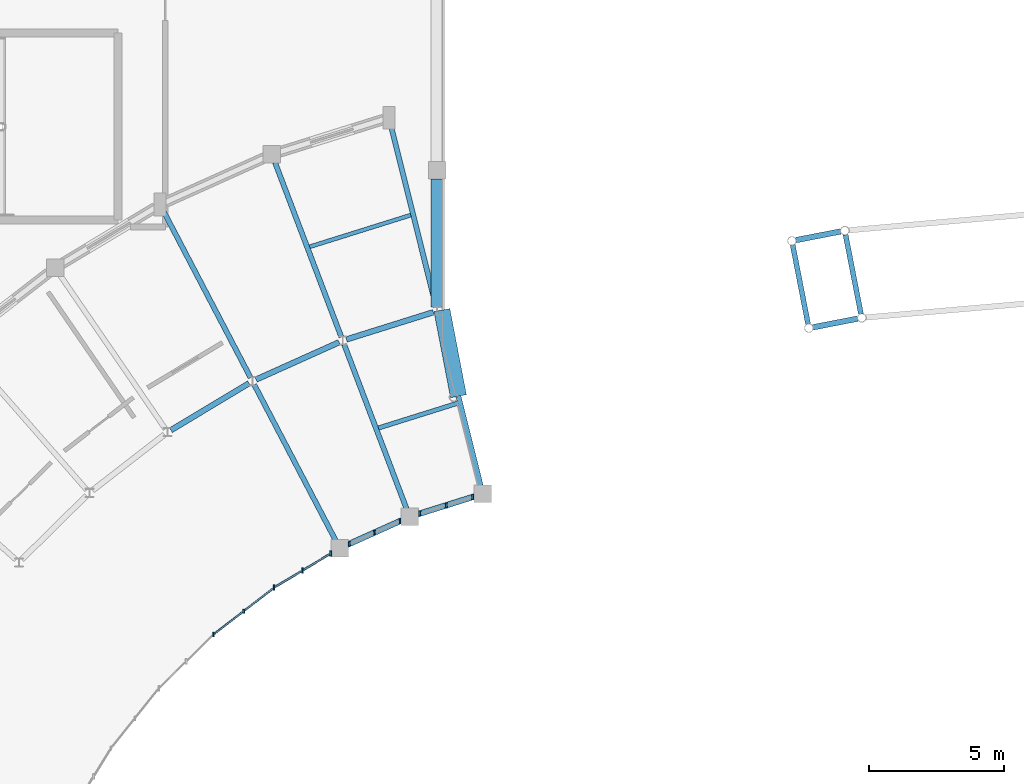
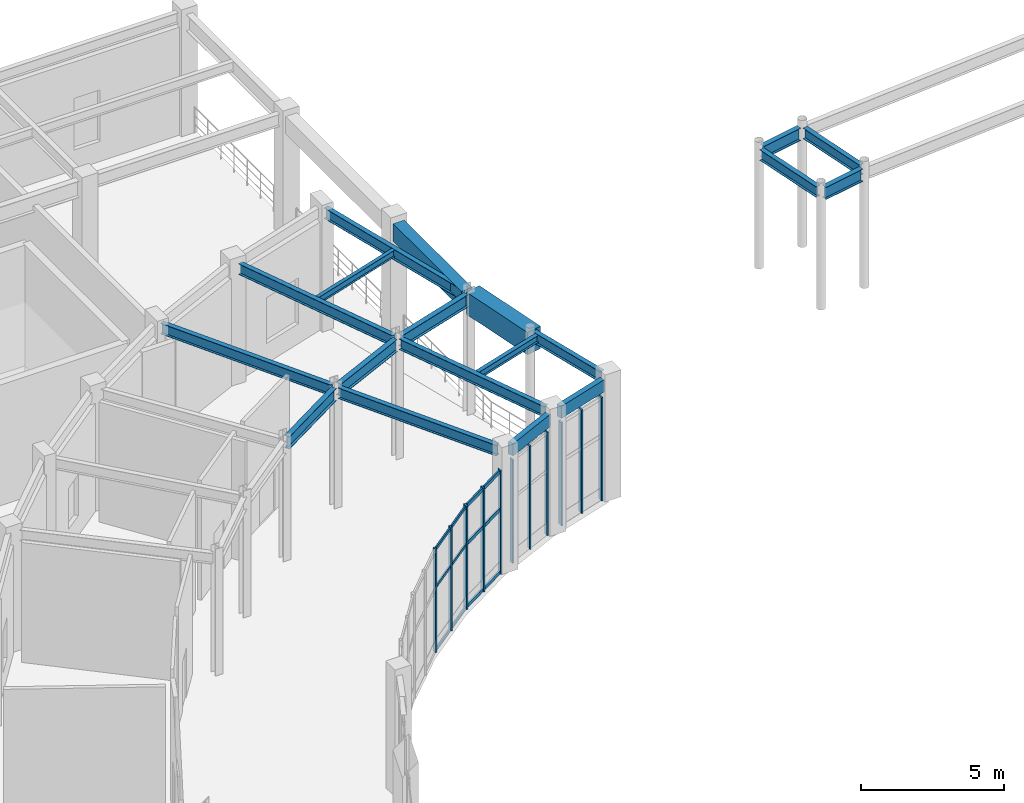
# One storey, part 30 of 93: 23 members, 19 beams, 4 elements without a shape of their own.
"""IFC4 building model written with IfcOpenShell, lengths in metres."""

from ifc_helpers import new_model, si_unit, direction, frame, origin, origin_2d, place, context, subcontext, project, spatial, rectangle, i_section, extrude, material, material_profile, profile_set, type_object, element, aggregate, save


model = new_model("IFC4")

# Units and contexts
model_context = context("Model", 3, precision=1e-05, world=origin(), true_north=direction((0.0, 1.0)))
body_context = subcontext(model_context, "Body", "Model", "MODEL_VIEW")
ifc_project = project(units=[si_unit("LENGTHUNIT", "METRE"), si_unit("AREAUNIT", "SQUARE_METRE"), si_unit("VOLUMEUNIT", "CUBIC_METRE"), si_unit("PLANEANGLEUNIT", "RADIAN"), si_unit("MASSUNIT", "GRAM", prefix="KILO")], contexts=[model_context])

# Site, building, storey
site_placement = place(None, origin())
site = spatial("IfcSite", under=ifc_project, at=site_placement, CompositionType="ELEMENT")
building_placement = place(site_placement, origin())
building = spatial("IfcBuilding", under=site, at=building_placement, Name="Cinderbank Siding Concert Hall", CompositionType="ELEMENT")
storey_placement = place(building_placement, origin())
storey = spatial("IfcBuildingStorey", under=building, at=storey_placement, Name="L01", CompositionType="ELEMENT", Elevation=0.0)

# Beams
ifc_material_1 = material(Name="Reinforced concrete AS 3600 N50 (50 MPa)", Category="concrete")
ifc_material_profile_1 = material_profile(ifc_material_1, rectangle(XDim=0.449951171875, YDim=0.75, at=origin_2d()), Name="RC-BM-450x750", Category="LoadBearing")
ifc_profile_set_1 = profile_set([ifc_material_profile_1], Name="Reinforced concrete AS 3600 N50 (50 MPa)")
beam_type_1 = type_object("IfcBeamType", Name="BM-RC750 RC-BM-450x750", PredefinedType="BEAM", material=ifc_profile_set_1)
beam_1_placement = place(storey_placement, frame((48.5, 98.2265625, 4.7470703125), z_axis=(0.0, 1.0, 0.0), x_axis=(-1.0, 0.0, 0.0)))
element("IfcBeam", 1, at=beam_1_placement, inside=storey, type_object=beam_type_1, Name="L01 Beam BM-RC750 #1274", PredefinedType="BEAM", context=body_context, shape_type="SweptSolid", body=[
    extrude(rectangle(XDim=0.449951171875, YDim=0.75, at=origin_2d()), origin(), (0.0, 0.0, 1.0), 4.75634765625),
])
ifc_material_2 = material(Name="Structural steel AS/NZS 3679.1 Grade 350 (340 MPa)", Category="steel")
ifc_material_profile_2 = material_profile(ifc_material_2, i_section(OverallWidth=0.18994140625, OverallDepth=0.45751953125, WebThickness=0.009033203125, FlangeThickness=0.014404296875, at=origin_2d()), Name="460UB74.6", Category="LoadBearing")
ifc_profile_set_2 = profile_set([ifc_material_profile_2], Name="Structural steel AS/NZS 3679.1 Grade 350 (340 MPa)")
beam_type_2 = type_object("IfcBeamType", Name="BM-UB460 460UB74.6", PredefinedType="BEAM", material=ifc_profile_set_2)
beam_2_placement = place(storey_placement, frame((61.70751953125, 100.532958984375, 4.871337890625), z_axis=(0.190871843299, -0.981614964961, 0.0), x_axis=(0.981614964961, 0.190871843299, 0.0)))
element("IfcBeam", 2, at=beam_2_placement, inside=storey, type_object=beam_type_2, Name="L01 Beam BM-UB460 #62", PredefinedType="BEAM", context=body_context, shape_type="SweptSolid", body=[
    extrude(i_section(OverallWidth=0.18994140625, OverallDepth=0.45751953125, WebThickness=0.009033203125, FlangeThickness=0.014404296875, at=origin_2d()), origin(), (0.0, 0.0, 1.0), 2.99169921875),
])
beam_3_placement = place(storey_placement, frame((63.67138671875, 100.914794921875, 4.871337890625), z_axis=(0.190574864555, -0.981672664894, 0.0), x_axis=(0.981672664894, 0.190574864555, 0.0)))
element("IfcBeam", 3, at=beam_3_placement, inside=storey, type_object=beam_type_2, Name="L01 Beam BM-UB460 #65", PredefinedType="BEAM", context=body_context, shape_type="SweptSolid", body=[
    extrude(i_section(OverallWidth=0.18994140625, OverallDepth=0.45751953125, WebThickness=0.009033203125, FlangeThickness=0.014404296875, at=origin_2d()), origin(), (0.0, 0.0, 1.0), 2.99267578125),
])
beam_4_placement = place(storey_placement, frame((50.117431640625, 91.5947265625, 4.893310546875), z_axis=(-0.24131906165, 0.970445830783, 0.0), x_axis=(-0.970445830783, -0.24131906165, 0.0)))
element("IfcBeam", 4, at=beam_4_placement, inside=storey, type_object=beam_type_2, Name="L01 Beam BM-UB460 #899", PredefinedType="BEAM", context=body_context, shape_type="SweptSolid", body=[
    extrude(i_section(OverallWidth=0.18994140625, OverallDepth=0.45751953125, WebThickness=0.009033203125, FlangeThickness=0.014404296875, at=origin_2d()), origin(), (0.0, 0.0, 1.0), 3.400390625),
])
beam_5_placement = place(storey_placement, frame((47.36474609375, 90.732177734375, 4.893310546875), z_axis=(-0.355082002148, 0.934835157528, 0.0), x_axis=(-0.934835157528, -0.355082002148, 0.0)))
element("IfcBeam", 5, at=beam_5_placement, inside=storey, type_object=beam_type_2, Name="L01 Beam BM-UB460 #900", PredefinedType="BEAM", context=body_context, shape_type="SweptSolid", body=[
    extrude(i_section(OverallWidth=0.18994140625, OverallDepth=0.45751953125, WebThickness=0.009033203125, FlangeThickness=0.014404296875, at=origin_2d()), origin(), (0.0, 0.0, 1.0), 6.537353515625),
])
beam_6_placement = place(storey_placement, frame((48.464599609375, 98.222412109375, 4.893310546875), z_axis=(-0.241906857556, 0.970299475558, 0.0), x_axis=(-0.970299475558, -0.241906857556, 0.0)))
element("IfcBeam", 6, at=beam_6_placement, inside=storey, type_object=beam_type_2, Name="L01 Beam BM-UB460 #902", PredefinedType="BEAM", context=body_context, shape_type="SweptSolid", body=[
    extrude(i_section(OverallWidth=0.18994140625, OverallDepth=0.45751953125, WebThickness=0.009033203125, FlangeThickness=0.014404296875, at=origin_2d()), origin(), (0.0, 0.0, 1.0), 7.035400390625),
])
beam_7_placement = place(storey_placement, frame((44.93994140625, 97.115478515625, 4.893310546875), z_axis=(-0.355073230115, 0.934838489396, 0.0), x_axis=(-0.934838489396, -0.355073230115, 0.0)))
element("IfcBeam", 7, at=beam_7_placement, inside=storey, type_object=beam_type_2, Name="L01 Beam BM-UB460 #903", PredefinedType="BEAM", context=body_context, shape_type="SweptSolid", body=[
    extrude(i_section(OverallWidth=0.18994140625, OverallDepth=0.45751953125, WebThickness=0.009033203125, FlangeThickness=0.014404296875, at=origin_2d()), origin(), (0.0, 0.0, 1.0), 6.937744140625),
])
beam_8_placement = place(storey_placement, frame((44.73388671875, 89.5498046875, 4.893310546875), z_axis=(-0.463293550512, 0.886204878148, 0.0), x_axis=(-0.886204878148, -0.463293550512, 0.0)))
element("IfcBeam", 8, at=beam_8_placement, inside=storey, type_object=beam_type_2, Name="L01 Beam BM-UB460 #908", PredefinedType="BEAM", context=body_context, shape_type="SweptSolid", body=[
    extrude(i_section(OverallWidth=0.18994140625, OverallDepth=0.45751953125, WebThickness=0.009033203125, FlangeThickness=0.014404296875, at=origin_2d()), origin(), (0.0, 0.0, 1.0), 6.535400390625),
])
beam_9_placement = place(storey_placement, frame((41.569580078125, 95.60302734375, 4.893310546875), z_axis=(-0.46332482009, 0.886188530217, 0.0), x_axis=(-0.886188530217, -0.46332482009, 0.0)))
element("IfcBeam", 9, at=beam_9_placement, inside=storey, type_object=beam_type_2, Name="L01 Beam BM-UB460 #909", PredefinedType="BEAM", context=body_context, shape_type="SweptSolid", body=[
    extrude(i_section(OverallWidth=0.18994140625, OverallDepth=0.45751953125, WebThickness=0.009033203125, FlangeThickness=0.014404296875, at=origin_2d()), origin(), (0.0, 0.0, 1.0), 7.03564453125),
])
ifc_material_profile_3 = material_profile(ifc_material_2, i_section(OverallWidth=0.208984375, OverallDepth=0.5283203125, WebThickness=0.009521484375, FlangeThickness=0.01318359375, at=origin_2d()), Name="530UB82.0", Category="LoadBearing")
ifc_profile_set_3 = profile_set([ifc_material_profile_3], Name="Structural steel AS/NZS 3679.1 Grade 350 (340 MPa)")
beam_type_3 = type_object("IfcBeamType", Name="BM-UB530 530UB82.0", PredefinedType="BEAM", material=ifc_profile_set_3)
beam_10_placement = place(storey_placement, frame((61.8291015625, 100.71337890625, 4.8359375), z_axis=(0.981604130314, 0.190927555242, 0.0), x_axis=(-0.190927555242, 0.981604130314, 0.0)))
element("IfcBeam", 10, at=beam_10_placement, inside=storey, type_object=beam_type_3, Name="L01 Beam BM-UB530 #63", PredefinedType="BEAM", context=body_context, shape_type="SweptSolid", body=[
    extrude(i_section(OverallWidth=0.208984375, OverallDepth=0.5283203125, WebThickness=0.009521484375, FlangeThickness=0.01318359375, at=origin_2d()), origin(), (0.0, 0.0, 1.0), 1.693115234375),
])
beam_11_placement = place(storey_placement, frame((62.458984375, 97.474365234375, 4.8359375), z_axis=(0.981691164941, 0.190479543984, 0.0), x_axis=(-0.190479543984, 0.981691164941, 0.0)))
element("IfcBeam", 11, at=beam_11_placement, inside=storey, type_object=beam_type_3, Name="L01 Beam BM-UB530 #64", PredefinedType="BEAM", context=body_context, shape_type="SweptSolid", body=[
    extrude(i_section(OverallWidth=0.208984375, OverallDepth=0.5283203125, WebThickness=0.009521484375, FlangeThickness=0.01318359375, at=origin_2d()), origin(), (0.0, 0.0, 1.0), 1.69189453125),
])
beam_12_placement = place(storey_placement, frame((48.359619140625, 98.03515625, 4.85791015625), z_axis=(-0.954235740553, -0.299055432072, 0.0), x_axis=(0.299055432072, -0.954235740553, 0.0)))
element("IfcBeam", 12, at=beam_12_placement, inside=storey, type_object=beam_type_3, Name="L01 Beam BM-UB530 #897", PredefinedType="BEAM", context=body_context, shape_type="SweptSolid", body=[
    extrude(i_section(OverallWidth=0.208984375, OverallDepth=0.5283203125, WebThickness=0.009521484375, FlangeThickness=0.01318359375, at=origin_2d()), origin(), (0.0, 0.0, 1.0), 3.3837890625),
])
beam_13_placement = place(storey_placement, frame((44.85888671875, 96.919921875, 4.85791015625), z_axis=(-0.912119832761, -0.409923664459, 0.0), x_axis=(0.409923664459, -0.912119832761, 0.0)))
element("IfcBeam", 13, at=beam_13_placement, inside=storey, type_object=beam_type_3, Name="L01 Beam BM-UB530 #906", PredefinedType="BEAM", context=body_context, shape_type="SweptSolid", body=[
    extrude(i_section(OverallWidth=0.208984375, OverallDepth=0.5283203125, WebThickness=0.009521484375, FlangeThickness=0.01318359375, at=origin_2d()), origin(), (0.0, 0.0, 1.0), 3.384033203125),
])
beam_14_placement = place(storey_placement, frame((41.511474609375, 95.396240234375, 4.85791015625), z_axis=(-0.857180863859, -0.515015501354, 0.0), x_axis=(0.515015501354, -0.857180863859, 0.0)))
element("IfcBeam", 14, at=beam_14_placement, inside=storey, type_object=beam_type_3, Name="L01 Beam BM-UB530 #910", PredefinedType="BEAM", context=body_context, shape_type="SweptSolid", body=[
    extrude(i_section(OverallWidth=0.208984375, OverallDepth=0.5283203125, WebThickness=0.009521484375, FlangeThickness=0.01318359375, at=origin_2d()), origin(), (0.0, 0.0, 1.0), 3.38427734375),
])

# Curtain wall, members
ifc_material_3 = material(Name="Anodised aluminium alloy 6063-T6", Category="aluminium")
curtain_wall_type_1 = type_object("IfcCurtainWallType", Name="CW-14 Unitised Acoustic Curtain Wall 4200x3800", PredefinedType="NOTDEFINED", material=ifc_material_3)
curtain_wall_1_placement = place(storey_placement, origin())
curtain_wall_1 = element("IfcCurtainWall", 15, at=curtain_wall_1_placement, inside=storey, type_object=curtain_wall_type_1, Name="L01 Curtain Wall CW-14 #94", PredefinedType="NOTDEFINED")
ifc_material_profile_4 = material_profile(ifc_material_3, rectangle(XDim=0.06005859375, YDim=0.159912109375, at=origin_2d()), Name="ALU-MULL-60x160", Category="LoadBearing")
ifc_profile_set_4 = profile_set([ifc_material_profile_4], Name="Anodised aluminium alloy 6063-T6")
member_type_1 = type_object("IfcMemberType", Name="CW-ML1 Mullion 60x160", PredefinedType="MULLION", material=ifc_profile_set_4)
member_1_placement = place(storey_placement, frame((47.12158203125, 90.27587890625, 0.0), z_axis=(0.0, 0.0, 1.0), x_axis=(1.0, 0.0, 0.0)))
member_1 = element("IfcMember", 16, at=member_1_placement, type_object=member_type_1, Name="CW-L01-094 Mullion 0", PredefinedType="MULLION", context=body_context, shape_type="SweptSolid", body=[
    extrude(rectangle(XDim=0.06005859375, YDim=0.159912109375, at=origin_2d()), origin(), (0.0, 0.0, 1.0), 4.39990234375),
])
member_2_placement = place(storey_placement, frame((46.17919921875, 89.852294921875, 0.0), z_axis=(0.0, 0.0, 1.0), x_axis=(1.0, 0.0, 0.0)))
member_2 = element("IfcMember", 17, at=member_2_placement, type_object=member_type_1, Name="CW-L01-094 Mullion 1", PredefinedType="MULLION", context=body_context, shape_type="SweptSolid", body=[
    extrude(rectangle(XDim=0.06005859375, YDim=0.159912109375, at=origin_2d()), origin(), (0.0, 0.0, 1.0), 4.39990234375),
])
member_3_placement = place(storey_placement, frame((45.236572265625, 89.4287109375, 0.0), z_axis=(0.0, 0.0, 1.0), x_axis=(1.0, 0.0, 0.0)))
member_3 = element("IfcMember", 18, at=member_3_placement, type_object=member_type_1, Name="CW-L01-094 Mullion 2", PredefinedType="MULLION", context=body_context, shape_type="SweptSolid", body=[
    extrude(rectangle(XDim=0.06005859375, YDim=0.159912109375, at=origin_2d()), origin(), (0.0, 0.0, 1.0), 4.39990234375),
])
aggregate(curtain_wall_1, [member_1, member_2, member_3])

curtain_wall_2_placement = place(storey_placement, origin())
curtain_wall_2 = element("IfcCurtainWall", 19, at=curtain_wall_2_placement, inside=storey, type_object=curtain_wall_type_1, Name="L01 Curtain Wall CW-14 #96", PredefinedType="NOTDEFINED")
member_4_placement = place(storey_placement, frame((41.316162109375, 86.930419921875, 0.0), z_axis=(0.0, 0.0, 1.0), x_axis=(1.0, 0.0, 0.0)))
member_4 = element("IfcMember", 20, at=member_4_placement, type_object=member_type_1, Name="CW-L01-096 Mullion 1", PredefinedType="MULLION", context=body_context, shape_type="SweptSolid", body=[
    extrude(rectangle(XDim=0.06005859375, YDim=0.159912109375, at=origin_2d()), origin(), (0.0, 0.0, 1.0), 4.39990234375),
])
member_5_placement = place(storey_placement, frame((40.19140625, 86.05810546875, 0.0), z_axis=(0.0, 0.0, 1.0), x_axis=(1.0, 0.0, 0.0)))
member_5 = element("IfcMember", 21, at=member_5_placement, type_object=member_type_1, Name="CW-L01-096 Mullion 2", PredefinedType="MULLION", context=body_context, shape_type="SweptSolid", body=[
    extrude(rectangle(XDim=0.06005859375, YDim=0.159912109375, at=origin_2d()), origin(), (0.0, 0.0, 1.0), 4.39990234375),
])

curtain_wall_type_2 = type_object("IfcCurtainWallType", Name="CW-13 Unitised Acoustic Curtain Wall 4200x4400", PredefinedType="NOTDEFINED", material=ifc_material_3)
curtain_wall_3_placement = place(storey_placement, origin())
curtain_wall_3 = element("IfcCurtainWall", 22, at=curtain_wall_3_placement, inside=storey, type_object=curtain_wall_type_2, Name="L01 Curtain Wall CW-13 #93", PredefinedType="NOTDEFINED")
ifc_material_profile_5 = material_profile(ifc_material_3, rectangle(XDim=0.06494140625, YDim=0.199951171875, at=origin_2d()), Name="ALU-MULL-65x200", Category="LoadBearing")
ifc_profile_set_5 = profile_set([ifc_material_profile_5], Name="Anodised aluminium alloy 6063-T6")
member_type_2 = type_object("IfcMemberType", Name="CW-ML2 Mullion 65x200", PredefinedType="MULLION", material=ifc_profile_set_5)
member_6_placement = place(storey_placement, frame((49.82177734375, 91.17041015625, 0.0), z_axis=(0.0, 0.0, 1.0), x_axis=(1.0, 0.0, 0.0)))
member_6 = element("IfcMember", 23, at=member_6_placement, type_object=member_type_2, Name="CW-L01-093 Mullion 0", PredefinedType="MULLION", context=body_context, shape_type="SweptSolid", body=[
    extrude(rectangle(XDim=0.06494140625, YDim=0.199951171875, at=origin_2d()), origin(), (0.0, 0.0, 1.0), 4.39990234375),
])
member_7_placement = place(storey_placement, frame((48.835693359375, 90.861328125, 0.0), z_axis=(0.0, 0.0, 1.0), x_axis=(1.0, 0.0, 0.0)))
member_7 = element("IfcMember", 24, at=member_7_placement, type_object=member_type_2, Name="CW-L01-093 Mullion 1", PredefinedType="MULLION", context=body_context, shape_type="SweptSolid", body=[
    extrude(rectangle(XDim=0.06494140625, YDim=0.199951171875, at=origin_2d()), origin(), (0.0, 0.0, 1.0), 4.39990234375),
])
member_8_placement = place(storey_placement, frame((47.849609375, 90.552490234375, 0.0), z_axis=(0.0, 0.0, 1.0), x_axis=(1.0, 0.0, 0.0)))
member_8 = element("IfcMember", 25, at=member_8_placement, type_object=member_type_2, Name="CW-L01-093 Mullion 2", PredefinedType="MULLION", context=body_context, shape_type="SweptSolid", body=[
    extrude(rectangle(XDim=0.06494140625, YDim=0.199951171875, at=origin_2d()), origin(), (0.0, 0.0, 1.0), 4.39990234375),
])
aggregate(curtain_wall_3, [member_6, member_7, member_8])

curtain_wall_4_placement = place(storey_placement, origin())
curtain_wall_4 = element("IfcCurtainWall", 26, at=curtain_wall_4_placement, inside=storey, type_object=curtain_wall_type_2, Name="L01 Curtain Wall CW-13 #95", PredefinedType="NOTDEFINED")
member_9_placement = place(storey_placement, frame((44.546630859375, 89.068115234375, 0.0), z_axis=(0.0, 0.0, 1.0), x_axis=(1.0, 0.0, 0.0)))
member_9 = element("IfcMember", 27, at=member_9_placement, type_object=member_type_2, Name="CW-L01-095 Mullion 0", PredefinedType="MULLION", context=body_context, shape_type="SweptSolid", body=[
    extrude(rectangle(XDim=0.06494140625, YDim=0.199951171875, at=origin_2d()), origin(), (0.0, 0.0, 1.0), 4.39990234375),
])
member_10_placement = place(storey_placement, frame((43.49365234375, 88.435302734375, 0.0), z_axis=(0.0, 0.0, 1.0), x_axis=(1.0, 0.0, 0.0)))
member_10 = element("IfcMember", 28, at=member_10_placement, type_object=member_type_2, Name="CW-L01-095 Mullion 1", PredefinedType="MULLION", context=body_context, shape_type="SweptSolid", body=[
    extrude(rectangle(XDim=0.06494140625, YDim=0.199951171875, at=origin_2d()), origin(), (0.0, 0.0, 1.0), 4.39990234375),
])
member_11_placement = place(storey_placement, frame((42.44091796875, 87.802734375, 0.0), z_axis=(0.0, 0.0, 1.0), x_axis=(1.0, 0.0, 0.0)))
member_11 = element("IfcMember", 29, at=member_11_placement, type_object=member_type_2, Name="CW-L01-095 Mullion 2", PredefinedType="MULLION", context=body_context, shape_type="SweptSolid", body=[
    extrude(rectangle(XDim=0.06494140625, YDim=0.199951171875, at=origin_2d()), origin(), (0.0, 0.0, 1.0), 4.39990234375),
])

# Member
ifc_material_profile_6 = material_profile(ifc_material_3, rectangle(XDim=0.06005859375, YDim=0.1201171875, at=origin_2d()), Name="ALU-TRAN-60x120", Category="LoadBearing")
ifc_profile_set_6 = profile_set([ifc_material_profile_6], Name="Anodised aluminium alloy 6063-T6")
member_type_3 = type_object("IfcMemberType", Name="CW-TR1 Transom 60x120", PredefinedType="USERDEFINED", material=ifc_profile_set_6)
member_12_placement = place(storey_placement, frame((42.384521484375, 87.759033203125, 0.06005859375), z_axis=(-0.790244289091, -0.612791941493, 0.0), x_axis=(0.612791941493, -0.790244289091, 0.0)))
member_12 = element("IfcMember", 30, at=member_12_placement, type_object=member_type_3, Name="CW-L01-096 Transom 0-0", ObjectType="TRANSOM", PredefinedType="USERDEFINED", context=body_context, shape_type="SweptSolid", body=[
    extrude(rectangle(XDim=0.06005859375, YDim=0.1201171875, at=origin_2d()), origin(), (0.0, 0.0, 1.0), 1.28076171875),
])

member_13_placement = place(storey_placement, frame((42.384521484375, 87.759033203125, 2.72802734375), z_axis=(-0.790244289091, -0.612791941493, 0.0), x_axis=(0.612791941493, -0.790244289091, 0.0)))
member_13 = element("IfcMember", 31, at=member_13_placement, type_object=member_type_3, Name="CW-L01-096 Transom 0-1", ObjectType="TRANSOM", PredefinedType="USERDEFINED", context=body_context, shape_type="SweptSolid", body=[
    extrude(rectangle(XDim=0.06005859375, YDim=0.1201171875, at=origin_2d()), origin(), (0.0, 0.0, 1.0), 1.28076171875),
])

member_14_placement = place(storey_placement, frame((42.384521484375, 87.759033203125, 4.340087890625), z_axis=(-0.790244289091, -0.612791941493, 0.0), x_axis=(0.612791941493, -0.790244289091, 0.0)))
member_14 = element("IfcMember", 32, at=member_14_placement, type_object=member_type_3, Name="CW-L01-096 Transom 0-2", ObjectType="TRANSOM", PredefinedType="USERDEFINED", context=body_context, shape_type="SweptSolid", body=[
    extrude(rectangle(XDim=0.06005859375, YDim=0.1201171875, at=origin_2d()), origin(), (0.0, 0.0, 1.0), 1.28076171875),
])

member_15_placement = place(storey_placement, frame((41.260009765625, 86.88671875, 0.06005859375), z_axis=(-0.790151989894, -0.612910950193, 0.0), x_axis=(0.612910950193, -0.790151989894, 0.0)))
member_15 = element("IfcMember", 33, at=member_15_placement, type_object=member_type_3, Name="CW-L01-096 Transom 1-0", ObjectType="TRANSOM", PredefinedType="USERDEFINED", context=body_context, shape_type="SweptSolid", body=[
    extrude(rectangle(XDim=0.06005859375, YDim=0.1201171875, at=origin_2d()), origin(), (0.0, 0.0, 1.0), 1.281005859375),
])

member_16_placement = place(storey_placement, frame((41.260009765625, 86.88671875, 2.72802734375), z_axis=(-0.790151989894, -0.612910950193, 0.0), x_axis=(0.612910950193, -0.790151989894, 0.0)))
member_16 = element("IfcMember", 34, at=member_16_placement, type_object=member_type_3, Name="CW-L01-096 Transom 1-1", ObjectType="TRANSOM", PredefinedType="USERDEFINED", context=body_context, shape_type="SweptSolid", body=[
    extrude(rectangle(XDim=0.06005859375, YDim=0.1201171875, at=origin_2d()), origin(), (0.0, 0.0, 1.0), 1.281005859375),
])

member_17_placement = place(storey_placement, frame((41.260009765625, 86.88671875, 4.340087890625), z_axis=(-0.790151989894, -0.612910950193, 0.0), x_axis=(0.612910950193, -0.790151989894, 0.0)))
member_17 = element("IfcMember", 35, at=member_17_placement, type_object=member_type_3, Name="CW-L01-096 Transom 1-2", ObjectType="TRANSOM", PredefinedType="USERDEFINED", context=body_context, shape_type="SweptSolid", body=[
    extrude(rectangle(XDim=0.06005859375, YDim=0.1201171875, at=origin_2d()), origin(), (0.0, 0.0, 1.0), 1.281005859375),
])

aggregate(curtain_wall_2, [member_4, member_5, member_12, member_13, member_14, member_15, member_16, member_17])

ifc_material_profile_7 = material_profile(ifc_material_3, rectangle(XDim=0.06494140625, YDim=0.14990234375, at=origin_2d()), Name="ALU-TRAN-65x150", Category="LoadBearing")
ifc_profile_set_7 = profile_set([ifc_material_profile_7], Name="Anodised aluminium alloy 6063-T6")
member_type_4 = type_object("IfcMemberType", Name="CW-TR2 Transom 65x150", PredefinedType="USERDEFINED", material=ifc_profile_set_7)
member_18_placement = place(storey_placement, frame((44.493896484375, 89.036376953125, 0.06005859375), z_axis=(-0.857161456476, -0.515047801211, 0.0), x_axis=(0.515047801211, -0.857161456476, 0.0)))
member_18 = element("IfcMember", 36, at=member_18_placement, type_object=member_type_4, Name="CW-L01-095 Transom 0-0", ObjectType="TRANSOM", PredefinedType="USERDEFINED", context=body_context, shape_type="SweptSolid", body=[
    extrude(rectangle(XDim=0.06494140625, YDim=0.14990234375, at=origin_2d()), origin(), (0.0, 0.0, 1.0), 1.10546875),
])

member_19_placement = place(storey_placement, frame((44.493896484375, 89.036376953125, 2.72802734375), z_axis=(-0.857161456476, -0.515047801211, 0.0), x_axis=(0.515047801211, -0.857161456476, 0.0)))
member_19 = element("IfcMember", 37, at=member_19_placement, type_object=member_type_4, Name="CW-L01-095 Transom 0-1", ObjectType="TRANSOM", PredefinedType="USERDEFINED", context=body_context, shape_type="SweptSolid", body=[
    extrude(rectangle(XDim=0.06494140625, YDim=0.14990234375, at=origin_2d()), origin(), (0.0, 0.0, 1.0), 1.10546875),
])

member_20_placement = place(storey_placement, frame((44.493896484375, 89.036376953125, 4.340087890625), z_axis=(-0.857161456476, -0.515047801211, 0.0), x_axis=(0.515047801211, -0.857161456476, 0.0)))
member_20 = element("IfcMember", 38, at=member_20_placement, type_object=member_type_4, Name="CW-L01-095 Transom 0-2", ObjectType="TRANSOM", PredefinedType="USERDEFINED", context=body_context, shape_type="SweptSolid", body=[
    extrude(rectangle(XDim=0.06494140625, YDim=0.14990234375, at=origin_2d()), origin(), (0.0, 0.0, 1.0), 1.10546875),
])

member_21_placement = place(storey_placement, frame((43.441162109375, 88.40380859375, 0.06005859375), z_axis=(-0.857122549038, -0.515112546859, 0.0), x_axis=(0.515112546859, -0.857122549038, 0.0)))
member_21 = element("IfcMember", 39, at=member_21_placement, type_object=member_type_4, Name="CW-L01-095 Transom 1-0", ObjectType="TRANSOM", PredefinedType="USERDEFINED", context=body_context, shape_type="SweptSolid", body=[
    extrude(rectangle(XDim=0.06494140625, YDim=0.14990234375, at=origin_2d()), origin(), (0.0, 0.0, 1.0), 1.105712890625),
])

member_22_placement = place(storey_placement, frame((43.441162109375, 88.40380859375, 2.72802734375), z_axis=(-0.857122549038, -0.515112546859, 0.0), x_axis=(0.515112546859, -0.857122549038, 0.0)))
member_22 = element("IfcMember", 40, at=member_22_placement, type_object=member_type_4, Name="CW-L01-095 Transom 1-1", ObjectType="TRANSOM", PredefinedType="USERDEFINED", context=body_context, shape_type="SweptSolid", body=[
    extrude(rectangle(XDim=0.06494140625, YDim=0.14990234375, at=origin_2d()), origin(), (0.0, 0.0, 1.0), 1.105712890625),
])

member_23_placement = place(storey_placement, frame((43.441162109375, 88.40380859375, 4.340087890625), z_axis=(-0.857122549038, -0.515112546859, 0.0), x_axis=(0.515112546859, -0.857122549038, 0.0)))
member_23 = element("IfcMember", 41, at=member_23_placement, type_object=member_type_4, Name="CW-L01-095 Transom 1-2", ObjectType="TRANSOM", PredefinedType="USERDEFINED", context=body_context, shape_type="SweptSolid", body=[
    extrude(rectangle(XDim=0.06494140625, YDim=0.14990234375, at=origin_2d()), origin(), (0.0, 0.0, 1.0), 1.105712890625),
])

aggregate(curtain_wall_4, [member_9, member_10, member_11, member_18, member_19, member_20, member_21, member_22, member_23])

# Beams
ifc_material_profile_8 = material_profile(ifc_material_2, i_section(OverallWidth=0.1650390625, OverallDepth=0.303955078125, WebThickness=0.006103515625, FlangeThickness=0.01025390625, at=origin_2d()), Name="310UB40.4", Category="LoadBearing")
ifc_profile_set_8 = profile_set([ifc_material_profile_8], Name="Structural steel AS/NZS 3679.1 Grade 350 (340 MPa)")
beam_type_4 = type_object("IfcBeamType", Name="JS-UB310 310UB40.4", PredefinedType="JOIST", material=ifc_profile_set_8)
beam_15_placement = place(storey_placement, frame((49.26220703125, 94.656494140625, 4.969970703125), z_axis=(-0.954244423023, -0.299027726355, 0.0), x_axis=(0.299027726355, -0.954244423023, 0.0)))
element("IfcBeam", 42, at=beam_15_placement, inside=storey, type_object=beam_type_4, Name="L01 Beam JS-UB310 #901", PredefinedType="JOIST", context=body_context, shape_type="SweptSolid", body=[
    extrude(i_section(OverallWidth=0.1650390625, OverallDepth=0.303955078125, WebThickness=0.006103515625, FlangeThickness=0.01025390625, at=origin_2d()), origin(), (0.0, 0.0, 1.0), 3.083740234375),
])
ifc_material_profile_9 = material_profile(ifc_material_2, i_section(OverallWidth=0.14892578125, OverallDepth=0.298095703125, WebThickness=0.005615234375, FlangeThickness=0.008056640625, at=origin_2d()), Name="310UB32.0", Category="LoadBearing")
ifc_profile_set_9 = profile_set([ifc_material_profile_9], Name="Structural steel AS/NZS 3679.1 Grade 350 (340 MPa)")
beam_type_5 = type_object("IfcBeamType", Name="JS-UB310L 310UB32.0", PredefinedType="JOIST", material=ifc_profile_set_9)
beam_16_placement = place(storey_placement, frame((47.5205078125, 101.642578125, 4.972900390625), z_axis=(-0.954250242352, -0.299009155331, 0.0), x_axis=(0.299009155331, -0.954250242352, 0.0)))
element("IfcBeam", 43, at=beam_16_placement, inside=storey, type_object=beam_type_5, Name="L01 Beam JS-UB310L #904", PredefinedType="JOIST", context=body_context, shape_type="SweptSolid", body=[
    extrude(i_section(OverallWidth=0.14892578125, OverallDepth=0.298095703125, WebThickness=0.005615234375, FlangeThickness=0.008056640625, at=origin_2d()), origin(), (0.0, 0.0, 1.0), 3.93798828125),
])
ifc_material_profile_10 = material_profile(ifc_material_1, rectangle(XDim=0.60009765625, YDim=0.949951171875, at=origin_2d()), Name="RC-RING-600x950", Category="LoadBearing")
ifc_profile_set_10 = profile_set([ifc_material_profile_10], Name="Reinforced concrete AS 3600 N50 (50 MPa)")
beam_type_6 = type_object("IfcBeamType", Name="RB-RC950 RC-RING-600x950", PredefinedType="BEAM", material=ifc_profile_set_10)
beam_17_placement = place(storey_placement, frame((48.677001953125, 98.113037109375, 4.68505859375), z_axis=(0.188789018815, -0.982017671111, 0.0), x_axis=(0.982017671111, 0.188789018815, 0.0)))
element("IfcBeam", 44, at=beam_17_placement, inside=storey, type_object=beam_type_6, Name="L01 Bridge Seat Corbel Beam RB-RC950 #2110", PredefinedType="BEAM", context=body_context, shape_type="SweptSolid", body=[
    extrude(rectangle(XDim=0.60009765625, YDim=0.949951171875, at=origin_2d()), origin(), (0.0, 0.0, 1.0), 3.257568359375),
])
ifc_material_4 = material(Name="Spotted gum glulam timber GL18 (42 MPa)", Category="wood")
ifc_material_profile_11 = material_profile(ifc_material_4, rectangle(XDim=0.215087890625, YDim=0.52001953125, at=origin_2d()), Name="GL18-215x520", Category="LoadBearing")
ifc_profile_set_11 = profile_set([ifc_material_profile_11], Name="Spotted gum glulam timber GL18 (42 MPa)")
beam_type_7 = type_object("IfcBeamType", Name="SP-GL520 GL18-215x520", PredefinedType="SPANDREL", material=ifc_profile_set_11)
for number, where, z_axis, x_axis, name in (
    (45, (49.891357421875, 91.1923828125, 4.862060546875), (-0.954222454212, -0.299097823259, 0.0), (0.299097823259, -0.954222454212, 0.0), "L01 Beam SP-GL520 #896"),
    (46, (47.188232421875, 90.305908203125, 4.862060546875), (-0.912092768776, -0.40998387913, 0.0), (0.40998387913, -0.912092768776, 0.0), "L01 Beam SP-GL520 #905"),
):
    element("IfcBeam", number, at=place(storey_placement, frame(where, z_axis=z_axis, x_axis=x_axis)), inside=storey, type_object=beam_type_7, Name=name, PredefinedType="SPANDREL", context=body_context, shape_type="SweptSolid", body=[
        extrude(rectangle(XDim=0.215087890625, YDim=0.52001953125, at=origin_2d()), origin(), (0.0, 0.0, 1.0), 2.212890625),
    ])

save(model, "model.ifc")
